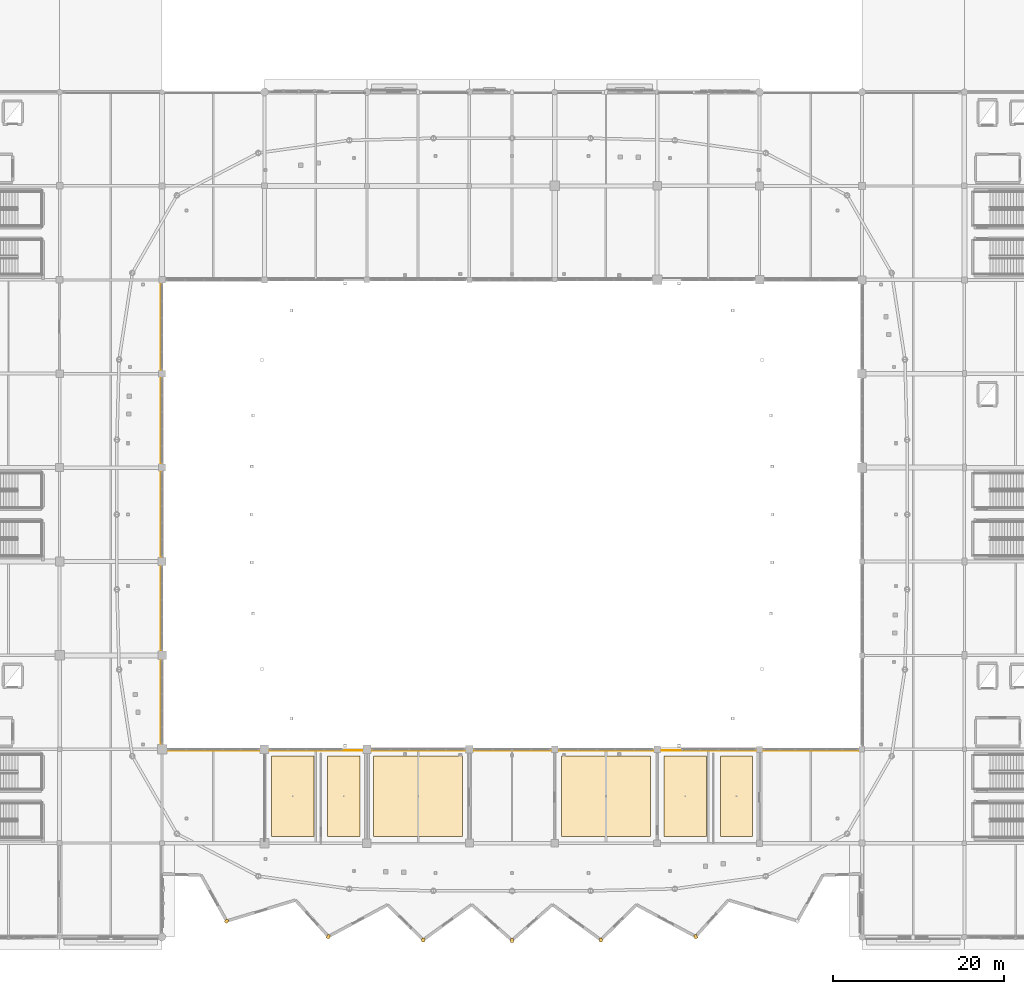
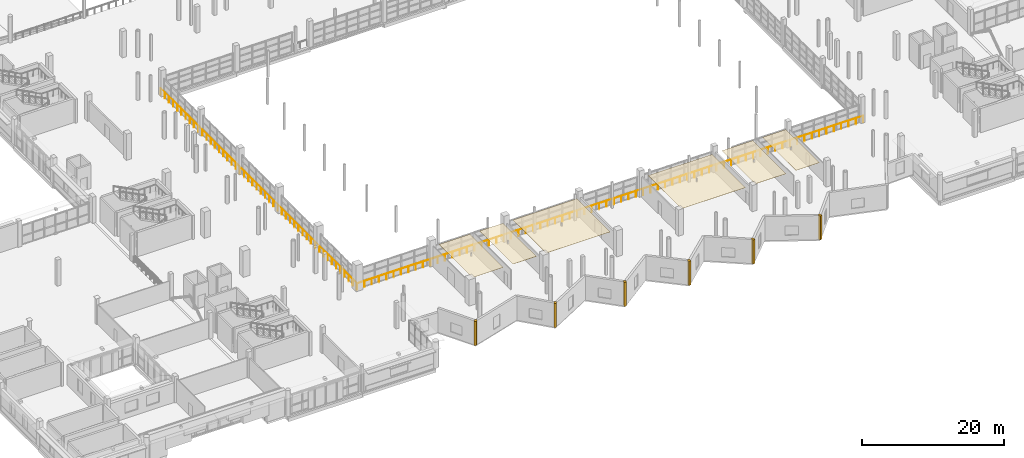
# One storey, part 103 of 118: 12 coverings, 2 railings.
"""IFC4 building model written with IfcOpenShell, lengths in metres."""

import ifcopenshell
import ifcopenshell.guid

model = None  # the IFC model being written
_history = None  # IfcOwnerHistory: only IFC2X3 demands one
_inside = {}  # id of a spatial element -> (the spatial element, [elements in it])
_under = {}  # id of a project, library or spatial element -> (it, [spatial elements below it])
_declared = {}  # id of a project -> (the project, [libraries it declares])
_typed = {}  # id of a type object -> (the type object, [elements of that type])
_made_of = {}  # id of a material, layer set ... -> (it, [elements and type objects made of it])


def new_model(schema):
    """Start an empty IFC model of exactly this schema.

    Asked for "IFC4X3", IfcOpenShell would pick the latest addendum, in which some entities
    have other attributes; the version numbers below select the first issue.
    IFC2X3 requires an IfcOwnerHistory on every rooted entity: one is made here for all.
    """
    global model, _history
    if schema == "IFC4X3":
        model = ifcopenshell.file(schema_version=(4, 3, 0, 0))
    else:
        model = ifcopenshell.file(schema=schema)
    _inside.clear()
    _under.clear()
    _declared.clear()
    _typed.clear()
    _made_of.clear()
    _history = None
    if model.schema == "IFC2X3":
        org = make("IfcOrganization", Name="unknown")
        user = make(
            "IfcPersonAndOrganization",
            ThePerson=make("IfcPerson", FamilyName="unknown"),
            TheOrganization=org,
        )
        app = make(
            "IfcApplication",
            ApplicationDeveloper=org,
            Version="unknown",
            ApplicationFullName="unknown",
            ApplicationIdentifier="unknown",
        )
        _history = make(
            "IfcOwnerHistory",
            OwningUser=user,
            OwningApplication=app,
            ChangeAction="ADDED",
            CreationDate=0,
        )
    return model


def make(cls, **values):
    """One entity of the class cls with the attributes given. An attribute that is None is left unset."""
    return model.create_entity(
        cls, **{name: value for name, value in values.items() if value is not None}
    )


def rooted(cls, **values):
    """An entity with a GlobalId (a new one), such as an element, a storey or a relation."""
    return make(cls, GlobalId=ifcopenshell.guid.new(), OwnerHistory=_history, **values)


def si_unit(unit_type, name, prefix=None):
    """IfcSIUnit, for example si_unit("LENGTHUNIT", "METRE", prefix="MILLI")."""
    return make("IfcSIUnit", UnitType=unit_type, Prefix=prefix, Name=name)


def assignment(units):
    """IfcUnitAssignment: the units of a project."""
    return None if units is None else make("IfcUnitAssignment", Units=units)


def point(xyz):
    """IfcCartesianPoint."""
    return None if xyz is None else make("IfcCartesianPoint", Coordinates=xyz)


def direction(xyz):
    """IfcDirection."""
    return None if xyz is None else make("IfcDirection", DirectionRatios=xyz)


def frame(location, z_axis=None, x_axis=None):
    """IfcAxis2Placement3D, a coordinate frame: its origin and axes. An axis left out is left unset."""
    return make(
        "IfcAxis2Placement3D",
        Location=point(location),
        Axis=direction(z_axis),
        RefDirection=direction(x_axis),
    )


def frame_2d(location, x_axis=None):
    """IfcAxis2Placement2D, a coordinate frame in the plane: its origin and x axis."""
    return make(
        "IfcAxis2Placement2D", Location=point(location), RefDirection=direction(x_axis)
    )


def origin():
    """The frame at (0, 0, 0) with its axes left unset."""
    return frame((0.0, 0.0, 0.0))


def origin_2d():
    """The frame at (0, 0) in the plane with its x axis left unset."""
    return frame_2d((0.0, 0.0))


def place(relative_to, where):
    """IfcLocalPlacement: puts the frame where relative to a parent placement (None: the world)."""
    return make(
        "IfcLocalPlacement", PlacementRelTo=relative_to, RelativePlacement=where
    )


def context(
    kind, dimensions, precision=None, world=None, true_north=None, identifier=None
):
    """IfcGeometricRepresentationContext, for example the 3D "Model" context."""
    return make(
        "IfcGeometricRepresentationContext",
        ContextIdentifier=identifier,
        ContextType=kind,
        CoordinateSpaceDimension=dimensions,
        Precision=precision,
        WorldCoordinateSystem=world,
        TrueNorth=true_north,
    )


def subcontext(parent, identifier, kind, view, scale=None):
    """IfcGeometricRepresentationSubContext, for example "Body" below "Model"."""
    return make(
        "IfcGeometricRepresentationSubContext",
        ContextIdentifier=identifier,
        ContextType=kind,
        ParentContext=parent,
        TargetScale=scale,
        TargetView=view,
    )


def project(units=None, contexts=None):
    """IfcProject with its units and contexts."""
    return rooted(
        "IfcProject",
        Name="project",
        RepresentationContexts=contexts,
        UnitsInContext=assignment(units),
    )


def spatial(cls, under=None, at=None, **own):
    """A site, building, storey or space (cls), placed at a placement, below another one or the project."""
    s = rooted(cls, ObjectPlacement=at, **own)
    if under is not None:
        _under.setdefault(under.id(), (under, []))[1].append(s)
    return s


def polyline(points):
    """IfcPolyline through the points."""
    return make("IfcPolyline", Points=[point(p) for p in points])


def profile(cls, at=None, kind="AREA", **sizes):
    """A parametric profile (cls). Its sizes go by their IFC names, for example OverallWidth=200.0."""
    return make(cls, ProfileType=kind, Position=at, **sizes)


def rectangle(**sizes):
    """IfcRectangleProfileDef."""
    return profile("IfcRectangleProfileDef", **sizes)


def circle(**sizes):
    """IfcCircleProfileDef."""
    return profile("IfcCircleProfileDef", **sizes)


def outline(outer, holes=None, kind="AREA"):
    """IfcArbitraryClosedProfileDef: a profile drawn as a closed curve; with holes, ...WithVoids."""
    if holes is None:
        return make("IfcArbitraryClosedProfileDef", ProfileType=kind, OuterCurve=outer)
    return make(
        "IfcArbitraryProfileDefWithVoids",
        ProfileType=kind,
        OuterCurve=outer,
        InnerCurves=holes,
    )


def extrude(swept, where, along, depth):
    """IfcExtrudedAreaSolid: the profile swept, set in the frame where, extruded along a direction by depth."""
    return make(
        "IfcExtrudedAreaSolid",
        SweptArea=swept,
        Position=where,
        ExtrudedDirection=direction(along),
        Depth=depth,
    )


def shape(context_of_items, identifier, shape_type, items):
    """IfcShapeRepresentation: the items that make up one representation, for example the "Body"."""
    return make(
        "IfcShapeRepresentation",
        ContextOfItems=context_of_items,
        RepresentationIdentifier=identifier,
        RepresentationType=shape_type,
        Items=items,
    )


def material(Name=None, Category=None):
    """IfcMaterial."""
    return make("IfcMaterial", Name=Name, Category=Category)


def layer(
    of_material, thickness, ventilated=None, Name=None, Category=None, Priority=None
):
    """IfcMaterialLayer: one layer of a wall or slab, of a material (None: an air gap)."""
    return make(
        "IfcMaterialLayer",
        Material=of_material,
        LayerThickness=thickness,
        IsVentilated=ventilated,
        Name=Name,
        Category=Category,
        Priority=Priority,
    )


def layer_set(layers, Name=None):
    """IfcMaterialLayerSet."""
    return make("IfcMaterialLayerSet", MaterialLayers=layers, LayerSetName=Name)


def made_of(thing, what):
    """Note that an element or type object is made of a material, layer set ...; save() writes the relation."""
    if what is not None:
        _made_of.setdefault(what.id(), (what, []))[1].append(thing)
    return thing


def type_object(cls, material=None, **own):
    """A type object (cls), such as IfcWallType, which elements share."""
    return made_of(rooted(cls, **own), material)


def element(
    cls,
    number,
    at=None,
    inside=None,
    cuts=None,
    type_object=None,
    material=None,
    context=None,
    identifier="Body",
    shape_type=None,
    held_by="IfcProductDefinitionShape",
    body=None,
    shapes=None,
    **own,
):
    """One element of the class cls, such as IfcWall. Its Tag is "e" and its number.

    at: its placement. inside: the storey or other place that contains it. cuts: it is an
    opening in that element (IfcRelVoidsElement). A single representation is given by context,
    identifier, shape_type and body (its items); several are given by shapes. held_by: the class
    of the entity that holds the representations. save() writes the other relations.
    """
    e = rooted(cls, Tag="e%d" % number, ObjectPlacement=at, **own)
    if body is not None:
        shapes = [shape(context, identifier, shape_type, body)]
    if shapes is not None:
        e.Representation = make(held_by, Representations=shapes)
    if inside is not None:
        _inside.setdefault(inside.id(), (inside, []))[1].append(e)
    if cuts is not None:
        rooted(
            "IfcRelVoidsElement", RelatingBuildingElement=cuts, RelatedOpeningElement=e
        )
    if type_object is not None:
        _typed.setdefault(type_object.id(), (type_object, []))[1].append(e)
    return made_of(e, material)


def aggregate(whole, parts):
    """IfcRelAggregates: a whole, such as a stair, and the parts it consists of."""
    return rooted("IfcRelAggregates", RelatingObject=whole, RelatedObjects=parts)


def save(model, path):
    """Write the relations noted so far, then the file.

    IfcRelAggregates (storeys below a building ...), IfcRelContainedInSpatialStructure (elements
    in a storey), IfcRelDefinesByType, IfcRelAssociatesMaterial and IfcRelDeclares: one each for
    every whole, place, type object, material and project.
    """
    for whole, parts in _under.values():
        aggregate(whole, parts)
    for where, things in _inside.values():
        rooted(
            "IfcRelContainedInSpatialStructure",
            RelatedElements=things,
            RelatingStructure=where,
        )
    for kind, things in _typed.values():
        rooted("IfcRelDefinesByType", RelatedObjects=things, RelatingType=kind)
    for what, things in _made_of.values():
        rooted("IfcRelAssociatesMaterial", RelatedObjects=things, RelatingMaterial=what)
    for by, libraries in _declared.values():
        rooted("IfcRelDeclares", RelatingContext=by, RelatedDefinitions=libraries)
    model.write(path)


model = new_model("IFC4")

# Units and contexts
model_context = context("Model", 3, precision=1e-05, world=origin(), true_north=direction((0.0, 1.0)))
body_context = subcontext(model_context, "Body", "Model", "MODEL_VIEW")
ifc_project = project(units=[si_unit("LENGTHUNIT", "METRE"), si_unit("AREAUNIT", "SQUARE_METRE"), si_unit("VOLUMEUNIT", "CUBIC_METRE"), si_unit("PLANEANGLEUNIT", "RADIAN"), si_unit("MASSUNIT", "GRAM", prefix="KILO")], contexts=[model_context])

# Site, building, storey
site_placement = place(None, origin())
site = spatial("IfcSite", under=ifc_project, at=site_placement, CompositionType="ELEMENT")
building_placement = place(site_placement, origin())
building = spatial("IfcBuilding", under=site, at=building_placement, Name="Luwafu Chhajja Arena", CompositionType="ELEMENT")
storey_placement = place(building_placement, frame((0.0, 0.0, 10.199951171875)))
storey = spatial("IfcBuildingStorey", under=building, at=storey_placement, Name="L02", CompositionType="ELEMENT", Elevation=10.199951171875)

# Coverings
ifc_material_1 = material(Name="Red laterite sandstone cladding", Category="masonry")
ifc_layer_1 = layer(ifc_material_1, 0.074951171875, Name="Red laterite sandstone cladding")
ifc_layer_set_1 = layer_set([ifc_layer_1], Name="Red laterite sandstone cladding")
covering_type_1 = type_object("IfcCoveringType", Name="Dressed Red-Laterite Sandstone Cladding", PredefinedType="CLADDING", material=ifc_layer_set_1)
for number, where, z_axis, x_axis, name in (
    (1, (65.572509765625, 1.864013671875, 0.0), (0.0, 0.0, 1.0), (-0.574411104334, -0.818566969293, 0.0), "L02 Pleated Bowl Sandstone Ridge Fin 22"),
    (2, (77.489013671875, 0.051025390625, 0.0), (0.0, 0.0, 1.0), (-0.398902881432, -0.916993179465, 0.0), "L02 Pleated Bowl Sandstone Ridge Fin 23"),
    (3, (88.587890625, -0.3427734375, 0.0), (0.0, 0.0, 1.0), (-0.20448508974, -0.9788696788, 0.0), "L02 Pleated Bowl Sandstone Ridge Fin 24"),
    (4, (99.0, -0.39990234375, 0.0), (0.0, 0.0, 1.0), (0.0, -1.0, 0.0), "L02 Pleated Bowl Sandstone Ridge Fin 25"),
    (5, (109.412109375, -0.3427734375, 0.0), (0.0, 0.0, 1.0), (0.20448508974, -0.9788696788, 0.0), "L02 Pleated Bowl Sandstone Ridge Fin 26"),
    (6, (120.510986328125, 0.051025390625, 0.0), (0.0, 0.0, 1.0), (0.398902881432, -0.916993179465, 0.0), "L02 Pleated Bowl Sandstone Ridge Fin 27"),
):
    element("IfcCovering", number, at=place(storey_placement, frame(where, z_axis=z_axis, x_axis=x_axis)), inside=storey, type_object=covering_type_1, Name=name, PredefinedType="CLADDING", context=body_context, shape_type="SweptSolid", body=[
        extrude(rectangle(XDim=0.4599609375, YDim=0.360107421875, at=origin_2d()), origin(), (0.0, 0.0, 1.0), 4.135009765625),
    ])
ifc_material_2 = material(Name="Acoustic gypsum ceiling board")
ifc_layer_2 = layer(ifc_material_2, 0.0400390625, Name="Acoustic gypsum ceiling board")
ifc_layer_set_2 = layer_set([ifc_layer_2], Name="Acoustic gypsum ceiling board")
covering_type_2 = type_object("IfcCoveringType", Name="Perforated Acoustic Baffle Ceiling", PredefinedType="CEILING", material=ifc_layer_set_2)
covering_1_placement = place(storey_placement, frame((0.0, 0.0, 3.615966796875)))
element("IfcCovering", 7, at=covering_1_placement, inside=storey, type_object=covering_type_2, Name="L02 Acoustic Baffle Ceiling 041", PredefinedType="CEILING", context=body_context, shape_type="SweptSolid", body=[
    extrude(outline(polyline([(70.800048828125, 11.800048828125), (75.800048828125, 11.800048828125), (75.800048828125, 21.199951171875), (70.800048828125, 21.199951171875), (70.800048828125, 11.800048828125)])), origin(), (0.0, 0.0, 1.0), 0.0400390625),
])
covering_2_placement = place(storey_placement, frame((0.0, 0.0, 3.615966796875)))
element("IfcCovering", 8, at=covering_2_placement, inside=storey, type_object=covering_type_2, Name="L02 Acoustic Baffle Ceiling 042", PredefinedType="CEILING", context=body_context, shape_type="SweptSolid", body=[
    extrude(outline(polyline([(77.39990234375, 11.800048828125), (81.199951171875, 11.800048828125), (81.199951171875, 21.199951171875), (77.39990234375, 21.199951171875), (77.39990234375, 11.800048828125)])), origin(), (0.0, 0.0, 1.0), 0.0400390625),
])
covering_3_placement = place(storey_placement, frame((0.0, 0.0, 3.621337890625)))
element("IfcCovering", 9, at=covering_3_placement, inside=storey, type_object=covering_type_2, Name="L02 Acoustic Baffle Ceiling 043", PredefinedType="CEILING", context=body_context, shape_type="SweptSolid", body=[
    extrude(outline(polyline([(82.800048828125, 11.800048828125), (93.199951171875, 11.800048828125), (93.199951171875, 21.199951171875), (82.800048828125, 21.199951171875), (82.800048828125, 11.800048828125)])), origin(), (0.0, 0.0, 1.0), 0.0400390625),
])
covering_4_placement = place(storey_placement, frame((0.0, 0.0, 3.54296875)))
element("IfcCovering", 10, at=covering_4_placement, inside=storey, type_object=covering_type_2, Name="L02 Acoustic Baffle Ceiling 044", PredefinedType="CEILING", context=body_context, shape_type="SweptSolid", body=[
    extrude(outline(polyline([(104.800048828125, 11.800048828125), (115.199951171875, 11.800048828125), (115.199951171875, 21.199951171875), (104.800048828125, 21.199951171875), (104.800048828125, 11.800048828125)])), origin(), (0.0, 0.0, 1.0), 0.0400390625),
])
covering_5_placement = place(storey_placement, frame((0.0, 0.0, 3.615966796875)))
element("IfcCovering", 11, at=covering_5_placement, inside=storey, type_object=covering_type_2, Name="L02 Acoustic Baffle Ceiling 045", PredefinedType="CEILING", context=body_context, shape_type="SweptSolid", body=[
    extrude(outline(polyline([(116.800048828125, 11.800048828125), (121.800048828125, 11.800048828125), (121.800048828125, 21.199951171875), (116.800048828125, 21.199951171875), (116.800048828125, 11.800048828125)])), origin(), (0.0, 0.0, 1.0), 0.0400390625),
])
covering_6_placement = place(storey_placement, frame((0.0, 0.0, 3.615966796875)))
element("IfcCovering", 12, at=covering_6_placement, inside=storey, type_object=covering_type_2, Name="L02 Acoustic Baffle Ceiling 046", PredefinedType="CEILING", context=body_context, shape_type="SweptSolid", body=[
    extrude(outline(polyline([(123.39990234375, 11.800048828125), (127.199951171875, 11.800048828125), (127.199951171875, 21.199951171875), (123.39990234375, 21.199951171875), (123.39990234375, 11.800048828125)])), origin(), (0.0, 0.0, 1.0), 0.0400390625),
])

# Railings
ifc_material_3 = material(Name="Stainless steel balustrade", Category="steel")
railing_type = type_object("IfcRailingType", Name="Seating Bowl Sightline Barrier 1100", PredefinedType="BALUSTRADE", material=ifc_material_3)
railing_1_placement = place(storey_placement, frame((57.85009765625, 21.85009765625, 0.0)))
element("IfcRailing", 13, at=railing_1_placement, inside=storey, type_object=railing_type, Name="L02 Bowl Rim Guard 0032", PredefinedType="BALUSTRADE", context=body_context, shape_type="SweptSolid", body=[
    extrude(circle(Radius=0.02392578125, at=origin_2d()), frame((0.0, 0.0, 1.09619140625), z_axis=(1.0, 0.0, 0.0), x_axis=(0.0, 1.0, 0.0)), (0.0, 0.0, 1.0), 82.2998046875),
    extrude(circle(Radius=0.02099609375, at=origin_2d()), origin(), (0.0, 0.0, 1.0), 1.072021484375),
    extrude(circle(Radius=0.02099609375, at=origin_2d()), frame((1.19287109375, 0.0, 0.0)), (0.0, 0.0, 1.0), 1.072021484375),
    extrude(circle(Radius=0.02099609375, at=origin_2d()), frame((2.385498046875, 0.0, 0.0)), (0.0, 0.0, 1.0), 1.072021484375),
    extrude(circle(Radius=0.02099609375, at=origin_2d()), frame((3.578369140625, 0.0, 0.0)), (0.0, 0.0, 1.0), 1.072021484375),
    extrude(circle(Radius=0.02099609375, at=origin_2d()), frame((4.77099609375, 0.0, 0.0)), (0.0, 0.0, 1.0), 1.072021484375),
    extrude(circle(Radius=0.02099609375, at=origin_2d()), frame((5.9638671875, 0.0, 0.0)), (0.0, 0.0, 1.0), 1.072021484375),
    extrude(circle(Radius=0.02099609375, at=origin_2d()), frame((7.156494140625, 0.0, 0.0)), (0.0, 0.0, 1.0), 1.072021484375),
    extrude(circle(Radius=0.02099609375, at=origin_2d()), frame((8.349365234375, 0.0, 0.0)), (0.0, 0.0, 1.0), 1.072021484375),
    extrude(circle(Radius=0.02099609375, at=origin_2d()), frame((9.5419921875, 0.0, 0.0)), (0.0, 0.0, 1.0), 1.072021484375),
    extrude(circle(Radius=0.02099609375, at=origin_2d()), frame((10.73486328125, 0.0, 0.0)), (0.0, 0.0, 1.0), 1.072021484375),
    extrude(circle(Radius=0.02099609375, at=origin_2d()), frame((11.927490234375, 0.0, 0.0)), (0.0, 0.0, 1.0), 1.072021484375),
    extrude(circle(Radius=0.02099609375, at=origin_2d()), frame((13.120361328125, 0.0, 0.0)), (0.0, 0.0, 1.0), 1.072021484375),
    extrude(circle(Radius=0.02099609375, at=origin_2d()), frame((14.31298828125, 0.0, 0.0)), (0.0, 0.0, 1.0), 1.072021484375),
    extrude(circle(Radius=0.02099609375, at=origin_2d()), frame((15.505859375, 0.0, 0.0)), (0.0, 0.0, 1.0), 1.072021484375),
    extrude(circle(Radius=0.02099609375, at=origin_2d()), frame((16.698486328125, 0.0, 0.0)), (0.0, 0.0, 1.0), 1.072021484375),
    extrude(circle(Radius=0.02099609375, at=origin_2d()), frame((17.891357421875, 0.0, 0.0)), (0.0, 0.0, 1.0), 1.072021484375),
    extrude(circle(Radius=0.02099609375, at=origin_2d()), frame((19.083984375, 0.0, 0.0)), (0.0, 0.0, 1.0), 1.072021484375),
    extrude(circle(Radius=0.02099609375, at=origin_2d()), frame((20.27685546875, 0.0, 0.0)), (0.0, 0.0, 1.0), 1.072021484375),
    extrude(circle(Radius=0.02099609375, at=origin_2d()), frame((21.469482421875, 0.0, 0.0)), (0.0, 0.0, 1.0), 1.072021484375),
    extrude(circle(Radius=0.02099609375, at=origin_2d()), frame((22.662353515625, 0.0, 0.0)), (0.0, 0.0, 1.0), 1.072021484375),
    extrude(circle(Radius=0.02099609375, at=origin_2d()), frame((23.85498046875, 0.0, 0.0)), (0.0, 0.0, 1.0), 1.072021484375),
    extrude(circle(Radius=0.02099609375, at=origin_2d()), frame((25.0478515625, 0.0, 0.0)), (0.0, 0.0, 1.0), 1.072021484375),
    extrude(circle(Radius=0.02099609375, at=origin_2d()), frame((26.240478515625, 0.0, 0.0)), (0.0, 0.0, 1.0), 1.072021484375),
    extrude(circle(Radius=0.02099609375, at=origin_2d()), frame((27.433349609375, 0.0, 0.0)), (0.0, 0.0, 1.0), 1.072021484375),
    extrude(circle(Radius=0.02099609375, at=origin_2d()), frame((28.6259765625, 0.0, 0.0)), (0.0, 0.0, 1.0), 1.072021484375),
    extrude(circle(Radius=0.02099609375, at=origin_2d()), frame((29.81884765625, 0.0, 0.0)), (0.0, 0.0, 1.0), 1.072021484375),
    extrude(circle(Radius=0.02099609375, at=origin_2d()), frame((31.011474609375, 0.0, 0.0)), (0.0, 0.0, 1.0), 1.072021484375),
    extrude(circle(Radius=0.02099609375, at=origin_2d()), frame((32.204345703125, 0.0, 0.0)), (0.0, 0.0, 1.0), 1.072021484375),
    extrude(circle(Radius=0.02099609375, at=origin_2d()), frame((33.39697265625, 0.0, 0.0)), (0.0, 0.0, 1.0), 1.072021484375),
    extrude(circle(Radius=0.02099609375, at=origin_2d()), frame((34.58984375, 0.0, 0.0)), (0.0, 0.0, 1.0), 1.072021484375),
    extrude(circle(Radius=0.02099609375, at=origin_2d()), frame((35.782470703125, 0.0, 0.0)), (0.0, 0.0, 1.0), 1.072021484375),
    extrude(circle(Radius=0.02099609375, at=origin_2d()), frame((36.975341796875, 0.0, 0.0)), (0.0, 0.0, 1.0), 1.072021484375),
    extrude(circle(Radius=0.02099609375, at=origin_2d()), frame((38.16796875, 0.0, 0.0)), (0.0, 0.0, 1.0), 1.072021484375),
    extrude(circle(Radius=0.02099609375, at=origin_2d()), frame((39.36083984375, 0.0, 0.0)), (0.0, 0.0, 1.0), 1.072021484375),
    extrude(circle(Radius=0.02099609375, at=origin_2d()), frame((40.553466796875, 0.0, 0.0)), (0.0, 0.0, 1.0), 1.072021484375),
    extrude(circle(Radius=0.02099609375, at=origin_2d()), frame((41.746337890625, 0.0, 0.0)), (0.0, 0.0, 1.0), 1.072021484375),
    extrude(circle(Radius=0.02099609375, at=origin_2d()), frame((42.93896484375, 0.0, 0.0)), (0.0, 0.0, 1.0), 1.072021484375),
    extrude(circle(Radius=0.02099609375, at=origin_2d()), frame((44.1318359375, 0.0, 0.0)), (0.0, 0.0, 1.0), 1.072021484375),
    extrude(circle(Radius=0.02099609375, at=origin_2d()), frame((45.324462890625, 0.0, 0.0)), (0.0, 0.0, 1.0), 1.072021484375),
    extrude(circle(Radius=0.02099609375, at=origin_2d()), frame((46.517333984375, 0.0, 0.0)), (0.0, 0.0, 1.0), 1.072021484375),
    extrude(circle(Radius=0.02099609375, at=origin_2d()), frame((47.7099609375, 0.0, 0.0)), (0.0, 0.0, 1.0), 1.072021484375),
    extrude(circle(Radius=0.02099609375, at=origin_2d()), frame((48.90283203125, 0.0, 0.0)), (0.0, 0.0, 1.0), 1.072021484375),
    extrude(circle(Radius=0.02099609375, at=origin_2d()), frame((50.095458984375, 0.0, 0.0)), (0.0, 0.0, 1.0), 1.072021484375),
    extrude(circle(Radius=0.02099609375, at=origin_2d()), frame((51.288330078125, 0.0, 0.0)), (0.0, 0.0, 1.0), 1.072021484375),
    extrude(circle(Radius=0.02099609375, at=origin_2d()), frame((52.48095703125, 0.0, 0.0)), (0.0, 0.0, 1.0), 1.072021484375),
    extrude(circle(Radius=0.02099609375, at=origin_2d()), frame((53.673828125, 0.0, 0.0)), (0.0, 0.0, 1.0), 1.072021484375),
    extrude(circle(Radius=0.02099609375, at=origin_2d()), frame((54.866455078125, 0.0, 0.0)), (0.0, 0.0, 1.0), 1.072021484375),
    extrude(circle(Radius=0.02099609375, at=origin_2d()), frame((56.059326171875, 0.0, 0.0)), (0.0, 0.0, 1.0), 1.072021484375),
    extrude(circle(Radius=0.02099609375, at=origin_2d()), frame((57.251953125, 0.0, 0.0)), (0.0, 0.0, 1.0), 1.072021484375),
    extrude(circle(Radius=0.02099609375, at=origin_2d()), frame((58.44482421875, 0.0, 0.0)), (0.0, 0.0, 1.0), 1.072021484375),
    extrude(circle(Radius=0.02099609375, at=origin_2d()), frame((59.637451171875, 0.0, 0.0)), (0.0, 0.0, 1.0), 1.072021484375),
    extrude(circle(Radius=0.02099609375, at=origin_2d()), frame((60.830322265625, 0.0, 0.0)), (0.0, 0.0, 1.0), 1.072021484375),
    extrude(circle(Radius=0.02099609375, at=origin_2d()), frame((62.02294921875, 0.0, 0.0)), (0.0, 0.0, 1.0), 1.072021484375),
    extrude(circle(Radius=0.02099609375, at=origin_2d()), frame((63.2158203125, 0.0, 0.0)), (0.0, 0.0, 1.0), 1.072021484375),
    extrude(circle(Radius=0.02099609375, at=origin_2d()), frame((64.408447265625, 0.0, 0.0)), (0.0, 0.0, 1.0), 1.072021484375),
    extrude(circle(Radius=0.02099609375, at=origin_2d()), frame((65.601318359375, 0.0, 0.0)), (0.0, 0.0, 1.0), 1.072021484375),
    extrude(circle(Radius=0.02099609375, at=origin_2d()), frame((66.7939453125, 0.0, 0.0)), (0.0, 0.0, 1.0), 1.072021484375),
    extrude(circle(Radius=0.02099609375, at=origin_2d()), frame((67.98681640625, 0.0, 0.0)), (0.0, 0.0, 1.0), 1.072021484375),
    extrude(circle(Radius=0.02099609375, at=origin_2d()), frame((69.179443359375, 0.0, 0.0)), (0.0, 0.0, 1.0), 1.072021484375),
    extrude(circle(Radius=0.02099609375, at=origin_2d()), frame((70.372314453125, 0.0, 0.0)), (0.0, 0.0, 1.0), 1.072021484375),
    extrude(circle(Radius=0.02099609375, at=origin_2d()), frame((71.56494140625, 0.0, 0.0)), (0.0, 0.0, 1.0), 1.072021484375),
    extrude(circle(Radius=0.02099609375, at=origin_2d()), frame((72.7578125, 0.0, 0.0)), (0.0, 0.0, 1.0), 1.072021484375),
    extrude(circle(Radius=0.02099609375, at=origin_2d()), frame((73.950439453125, 0.0, 0.0)), (0.0, 0.0, 1.0), 1.072021484375),
    extrude(circle(Radius=0.02099609375, at=origin_2d()), frame((75.143310546875, 0.0, 0.0)), (0.0, 0.0, 1.0), 1.072021484375),
    extrude(circle(Radius=0.02099609375, at=origin_2d()), frame((76.3359375, 0.0, 0.0)), (0.0, 0.0, 1.0), 1.072021484375),
    extrude(circle(Radius=0.02099609375, at=origin_2d()), frame((77.52880859375, 0.0, 0.0)), (0.0, 0.0, 1.0), 1.072021484375),
    extrude(circle(Radius=0.02099609375, at=origin_2d()), frame((78.721435546875, 0.0, 0.0)), (0.0, 0.0, 1.0), 1.072021484375),
    extrude(circle(Radius=0.02099609375, at=origin_2d()), frame((79.914306640625, 0.0, 0.0)), (0.0, 0.0, 1.0), 1.072021484375),
    extrude(circle(Radius=0.02099609375, at=origin_2d()), frame((81.10693359375, 0.0, 0.0)), (0.0, 0.0, 1.0), 1.072021484375),
    extrude(circle(Radius=0.02099609375, at=origin_2d()), frame((82.2998046875, 0.0, 0.0)), (0.0, 0.0, 1.0), 1.072021484375),
])
railing_2_placement = place(storey_placement, frame((57.85009765625, 77.14990234375, 0.0)))
element("IfcRailing", 14, at=railing_2_placement, inside=storey, type_object=railing_type, Name="L02 Bowl Rim Guard 0035", PredefinedType="BALUSTRADE", context=body_context, shape_type="SweptSolid", body=[
    extrude(circle(Radius=0.02392578125, at=origin_2d()), frame((0.0, 0.0, 1.09619140625), z_axis=(0.0, -1.0, 0.0), x_axis=(1.0, 0.0, 0.0)), (0.0, 0.0, 1.0), 55.2998046875),
    extrude(circle(Radius=0.02099609375, at=origin_2d()), origin(), (0.0, 0.0, 1.0), 1.072021484375),
    extrude(circle(Radius=0.02099609375, at=origin_2d()), frame((0.0, -1.176513671875, 0.0)), (0.0, 0.0, 1.0), 1.072021484375),
    extrude(circle(Radius=0.02099609375, at=origin_2d()), frame((0.0, -2.353271484375, 0.0)), (0.0, 0.0, 1.0), 1.072021484375),
    extrude(circle(Radius=0.02099609375, at=origin_2d()), frame((0.0, -3.52978515625, 0.0)), (0.0, 0.0, 1.0), 1.072021484375),
    extrude(circle(Radius=0.02099609375, at=origin_2d()), frame((0.0, -4.706298828125, 0.0)), (0.0, 0.0, 1.0), 1.072021484375),
    extrude(circle(Radius=0.02099609375, at=origin_2d()), frame((0.0, -5.883056640625, 0.0)), (0.0, 0.0, 1.0), 1.072021484375),
    extrude(circle(Radius=0.02099609375, at=origin_2d()), frame((0.0, -7.0595703125, 0.0)), (0.0, 0.0, 1.0), 1.072021484375),
    extrude(circle(Radius=0.02099609375, at=origin_2d()), frame((0.0, -8.236083984375, 0.0)), (0.0, 0.0, 1.0), 1.072021484375),
    extrude(circle(Radius=0.02099609375, at=origin_2d()), frame((0.0, -9.412841796875, 0.0)), (0.0, 0.0, 1.0), 1.072021484375),
    extrude(circle(Radius=0.02099609375, at=origin_2d()), frame((0.0, -10.58935546875, 0.0)), (0.0, 0.0, 1.0), 1.072021484375),
    extrude(circle(Radius=0.02099609375, at=origin_2d()), frame((0.0, -11.765869140625, 0.0)), (0.0, 0.0, 1.0), 1.072021484375),
    extrude(circle(Radius=0.02099609375, at=origin_2d()), frame((0.0, -12.942626953125, 0.0)), (0.0, 0.0, 1.0), 1.072021484375),
    extrude(circle(Radius=0.02099609375, at=origin_2d()), frame((0.0, -14.119140625, 0.0)), (0.0, 0.0, 1.0), 1.072021484375),
    extrude(circle(Radius=0.02099609375, at=origin_2d()), frame((0.0, -15.295654296875, 0.0)), (0.0, 0.0, 1.0), 1.072021484375),
    extrude(circle(Radius=0.02099609375, at=origin_2d()), frame((0.0, -16.47216796875, 0.0)), (0.0, 0.0, 1.0), 1.072021484375),
    extrude(circle(Radius=0.02099609375, at=origin_2d()), frame((0.0, -17.64892578125, 0.0)), (0.0, 0.0, 1.0), 1.072021484375),
    extrude(circle(Radius=0.02099609375, at=origin_2d()), frame((0.0, -18.825439453125, 0.0)), (0.0, 0.0, 1.0), 1.072021484375),
    extrude(circle(Radius=0.02099609375, at=origin_2d()), frame((0.0, -20.001953125, 0.0)), (0.0, 0.0, 1.0), 1.072021484375),
    extrude(circle(Radius=0.02099609375, at=origin_2d()), frame((0.0, -21.1787109375, 0.0)), (0.0, 0.0, 1.0), 1.072021484375),
    extrude(circle(Radius=0.02099609375, at=origin_2d()), frame((0.0, -22.355224609375, 0.0)), (0.0, 0.0, 1.0), 1.072021484375),
    extrude(circle(Radius=0.02099609375, at=origin_2d()), frame((0.0, -23.53173828125, 0.0)), (0.0, 0.0, 1.0), 1.072021484375),
    extrude(circle(Radius=0.02099609375, at=origin_2d()), frame((0.0, -24.70849609375, 0.0)), (0.0, 0.0, 1.0), 1.072021484375),
    extrude(circle(Radius=0.02099609375, at=origin_2d()), frame((0.0, -25.885009765625, 0.0)), (0.0, 0.0, 1.0), 1.072021484375),
    extrude(circle(Radius=0.02099609375, at=origin_2d()), frame((0.0, -27.0615234375, 0.0)), (0.0, 0.0, 1.0), 1.072021484375),
    extrude(circle(Radius=0.02099609375, at=origin_2d()), frame((0.0, -28.23828125, 0.0)), (0.0, 0.0, 1.0), 1.072021484375),
    extrude(circle(Radius=0.02099609375, at=origin_2d()), frame((0.0, -29.414794921875, 0.0)), (0.0, 0.0, 1.0), 1.072021484375),
    extrude(circle(Radius=0.02099609375, at=origin_2d()), frame((0.0, -30.59130859375, 0.0)), (0.0, 0.0, 1.0), 1.072021484375),
    extrude(circle(Radius=0.02099609375, at=origin_2d()), frame((0.0, -31.76806640625, 0.0)), (0.0, 0.0, 1.0), 1.072021484375),
    extrude(circle(Radius=0.02099609375, at=origin_2d()), frame((0.0, -32.944580078125, 0.0)), (0.0, 0.0, 1.0), 1.072021484375),
    extrude(circle(Radius=0.02099609375, at=origin_2d()), frame((0.0, -34.12109375, 0.0)), (0.0, 0.0, 1.0), 1.072021484375),
    extrude(circle(Radius=0.02099609375, at=origin_2d()), frame((0.0, -35.2978515625, 0.0)), (0.0, 0.0, 1.0), 1.072021484375),
    extrude(circle(Radius=0.02099609375, at=origin_2d()), frame((0.0, -36.474365234375, 0.0)), (0.0, 0.0, 1.0), 1.072021484375),
    extrude(circle(Radius=0.02099609375, at=origin_2d()), frame((0.0, -37.65087890625, 0.0)), (0.0, 0.0, 1.0), 1.072021484375),
    extrude(circle(Radius=0.02099609375, at=origin_2d()), frame((0.0, -38.82763671875, 0.0)), (0.0, 0.0, 1.0), 1.072021484375),
    extrude(circle(Radius=0.02099609375, at=origin_2d()), frame((0.0, -40.004150390625, 0.0)), (0.0, 0.0, 1.0), 1.072021484375),
    extrude(circle(Radius=0.02099609375, at=origin_2d()), frame((0.0, -41.1806640625, 0.0)), (0.0, 0.0, 1.0), 1.072021484375),
    extrude(circle(Radius=0.02099609375, at=origin_2d()), frame((0.0, -42.357177734375, 0.0)), (0.0, 0.0, 1.0), 1.072021484375),
    extrude(circle(Radius=0.02099609375, at=origin_2d()), frame((0.0, -43.533935546875, 0.0)), (0.0, 0.0, 1.0), 1.072021484375),
    extrude(circle(Radius=0.02099609375, at=origin_2d()), frame((0.0, -44.71044921875, 0.0)), (0.0, 0.0, 1.0), 1.072021484375),
    extrude(circle(Radius=0.02099609375, at=origin_2d()), frame((0.0, -45.886962890625, 0.0)), (0.0, 0.0, 1.0), 1.072021484375),
    extrude(circle(Radius=0.02099609375, at=origin_2d()), frame((0.0, -47.063720703125, 0.0)), (0.0, 0.0, 1.0), 1.072021484375),
    extrude(circle(Radius=0.02099609375, at=origin_2d()), frame((0.0, -48.240234375, 0.0)), (0.0, 0.0, 1.0), 1.072021484375),
    extrude(circle(Radius=0.02099609375, at=origin_2d()), frame((0.0, -49.416748046875, 0.0)), (0.0, 0.0, 1.0), 1.072021484375),
    extrude(circle(Radius=0.02099609375, at=origin_2d()), frame((0.0, -50.593505859375, 0.0)), (0.0, 0.0, 1.0), 1.072021484375),
    extrude(circle(Radius=0.02099609375, at=origin_2d()), frame((0.0, -51.77001953125, 0.0)), (0.0, 0.0, 1.0), 1.072021484375),
    extrude(circle(Radius=0.02099609375, at=origin_2d()), frame((0.0, -52.946533203125, 0.0)), (0.0, 0.0, 1.0), 1.072021484375),
    extrude(circle(Radius=0.02099609375, at=origin_2d()), frame((0.0, -54.123291015625, 0.0)), (0.0, 0.0, 1.0), 1.072021484375),
    extrude(circle(Radius=0.02099609375, at=origin_2d()), frame((0.0, -55.2998046875, 0.0)), (0.0, 0.0, 1.0), 1.072021484375),
])

save(model, "model.ifc")
